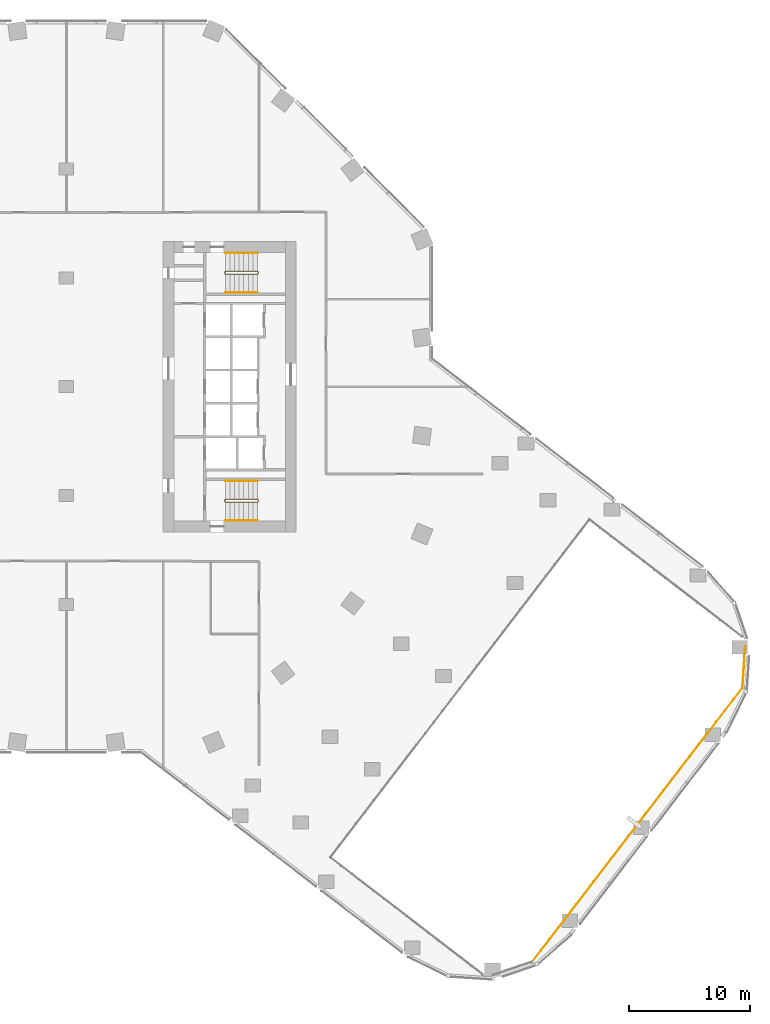
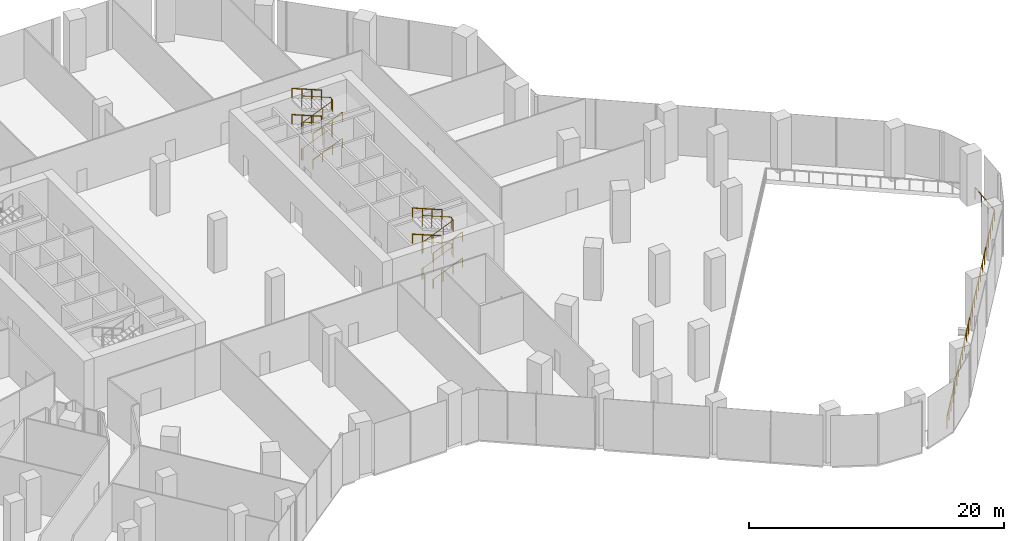
# One storey, part 28 of 29: 12 railings.
"""IFC4 building model written with IfcOpenShell, lengths in metres."""

from ifc_helpers import new_model, si_unit, direction, frame, origin, origin_2d, place, context, subcontext, project, spatial, circle, extrude, material, type_object, element, save


model = new_model("IFC4")

# Units and contexts
model_context = context("Model", 3, precision=1e-05, world=origin(), true_north=direction((0.0, 1.0)))
body_context = subcontext(model_context, "Body", "Model", "MODEL_VIEW")
ifc_project = project(units=[si_unit("LENGTHUNIT", "METRE"), si_unit("AREAUNIT", "SQUARE_METRE"), si_unit("VOLUMEUNIT", "CUBIC_METRE"), si_unit("PLANEANGLEUNIT", "RADIAN"), si_unit("MASSUNIT", "GRAM", prefix="KILO")], contexts=[model_context])

# Site, building, storey
site_placement = place(None, origin())
site = spatial("IfcSite", under=ifc_project, at=site_placement, CompositionType="ELEMENT")
building_placement = place(site_placement, origin())
building = spatial("IfcBuilding", under=site, at=building_placement, Name="Orlundy Tower", CompositionType="ELEMENT")
storey_placement = place(building_placement, frame((0.0, 0.0, 15.5)))
storey = spatial("IfcBuildingStorey", under=building, at=storey_placement, Name="L02", CompositionType="ELEMENT", Elevation=15.5)

# Railings
ifc_material_1 = material(Name="Steel and glass guard", Category="steel")
railing_type_1 = type_object("IfcRailingType", Name="Floor guard 1100", PredefinedType="GUARDRAIL", material=ifc_material_1)
railing_1_placement = place(storey_placement, frame((56.1201171875, -21.4970703125, 0.0)))
element("IfcRailing", 1, at=railing_1_placement, inside=storey, type_object=railing_type_1, Name="Guard", PredefinedType="GUARDRAIL", context=body_context, shape_type="SweptSolid", body=[
    extrude(circle(Radius=0.02392578125, at=origin_2d()), frame((0.0, 0.0, 1.076171875), z_axis=(-0.065562038995, -0.997848495035, 0.0), x_axis=(0.997848495035, -0.065562038995, 0.0)), (0.0, 0.0, 1.0), 3.403564453125),
    extrude(circle(Radius=0.02099609375, at=origin_2d()), origin(), (0.0, 0.0, 1.0), 1.052001953125),
    extrude(circle(Radius=0.02099609375, at=origin_2d()), frame((-0.074462890625, -1.132080078125, 0.0)), (0.0, 0.0, 1.0), 1.052001953125),
    extrude(circle(Radius=0.02099609375, at=origin_2d()), frame((-0.148681640625, -2.26416015625, 0.0)), (0.0, 0.0, 1.0), 1.052001953125),
    extrude(circle(Radius=0.02099609375, at=origin_2d()), frame((-0.22314453125, -3.396240234375, 0.0)), (0.0, 0.0, 1.0), 1.052001953125),
])
railing_2_placement = place(storey_placement, frame((55.89697265625, -24.893310546875, 0.0)))
element("IfcRailing", 2, at=railing_2_placement, inside=storey, type_object=railing_type_1, Name="Guard", PredefinedType="GUARDRAIL", context=body_context, shape_type="SweptSolid", body=[
    extrude(circle(Radius=0.02392578125, at=origin_2d()), frame((0.0, 0.0, 1.076171875), z_axis=(-0.608766735388, -0.793349268535, 0.0), x_axis=(0.793349268535, -0.608766735388, 0.0)), (0.0, 0.0, 1.0), 28.558837890625),
    extrude(circle(Radius=0.02099609375, at=origin_2d()), origin(), (0.0, 0.0, 1.0), 1.052001953125),
    extrude(circle(Radius=0.02099609375, at=origin_2d()), frame((-0.724365234375, -0.944091796875, 0.0)), (0.0, 0.0, 1.0), 1.052001953125),
    extrude(circle(Radius=0.02099609375, at=origin_2d()), frame((-1.44873046875, -1.88818359375, 0.0)), (0.0, 0.0, 1.0), 1.052001953125),
    extrude(circle(Radius=0.02099609375, at=origin_2d()), frame((-2.17333984375, -2.83203125, 0.0)), (0.0, 0.0, 1.0), 1.052001953125),
    extrude(circle(Radius=0.02099609375, at=origin_2d()), frame((-2.897705078125, -3.776123046875, 0.0)), (0.0, 0.0, 1.0), 1.052001953125),
    extrude(circle(Radius=0.02099609375, at=origin_2d()), frame((-3.6220703125, -4.72021484375, 0.0)), (0.0, 0.0, 1.0), 1.052001953125),
    extrude(circle(Radius=0.02099609375, at=origin_2d()), frame((-4.346435546875, -5.664306640625, 0.0)), (0.0, 0.0, 1.0), 1.052001953125),
    extrude(circle(Radius=0.02099609375, at=origin_2d()), frame((-5.07080078125, -6.6083984375, 0.0)), (0.0, 0.0, 1.0), 1.052001953125),
    extrude(circle(Radius=0.02099609375, at=origin_2d()), frame((-5.795166015625, -7.552490234375, 0.0)), (0.0, 0.0, 1.0), 1.052001953125),
    extrude(circle(Radius=0.02099609375, at=origin_2d()), frame((-6.51953125, -8.49658203125, 0.0)), (0.0, 0.0, 1.0), 1.052001953125),
    extrude(circle(Radius=0.02099609375, at=origin_2d()), frame((-7.244140625, -9.4404296875, 0.0)), (0.0, 0.0, 1.0), 1.052001953125),
    extrude(circle(Radius=0.02099609375, at=origin_2d()), frame((-7.968505859375, -10.384521484375, 0.0)), (0.0, 0.0, 1.0), 1.052001953125),
    extrude(circle(Radius=0.02099609375, at=origin_2d()), frame((-8.69287109375, -11.32861328125, 0.0)), (0.0, 0.0, 1.0), 1.052001953125),
    extrude(circle(Radius=0.02099609375, at=origin_2d()), frame((-9.417236328125, -12.272705078125, 0.0)), (0.0, 0.0, 1.0), 1.052001953125),
    extrude(circle(Radius=0.02099609375, at=origin_2d()), frame((-10.1416015625, -13.216796875, 0.0)), (0.0, 0.0, 1.0), 1.052001953125),
    extrude(circle(Radius=0.02099609375, at=origin_2d()), frame((-10.8662109375, -14.16064453125, 0.0)), (0.0, 0.0, 1.0), 1.052001953125),
    extrude(circle(Radius=0.02099609375, at=origin_2d()), frame((-11.590576171875, -15.104736328125, 0.0)), (0.0, 0.0, 1.0), 1.052001953125),
    extrude(circle(Radius=0.02099609375, at=origin_2d()), frame((-12.31494140625, -16.048828125, 0.0)), (0.0, 0.0, 1.0), 1.052001953125),
    extrude(circle(Radius=0.02099609375, at=origin_2d()), frame((-13.039306640625, -16.992919921875, 0.0)), (0.0, 0.0, 1.0), 1.052001953125),
    extrude(circle(Radius=0.02099609375, at=origin_2d()), frame((-13.763671875, -17.93701171875, 0.0)), (0.0, 0.0, 1.0), 1.052001953125),
    extrude(circle(Radius=0.02099609375, at=origin_2d()), frame((-14.488037109375, -18.881103515625, 0.0)), (0.0, 0.0, 1.0), 1.052001953125),
    extrude(circle(Radius=0.02099609375, at=origin_2d()), frame((-15.21240234375, -19.8251953125, 0.0)), (0.0, 0.0, 1.0), 1.052001953125),
    extrude(circle(Radius=0.02099609375, at=origin_2d()), frame((-15.93701171875, -20.76904296875, 0.0)), (0.0, 0.0, 1.0), 1.052001953125),
    extrude(circle(Radius=0.02099609375, at=origin_2d()), frame((-16.661376953125, -21.713134765625, 0.0)), (0.0, 0.0, 1.0), 1.052001953125),
    extrude(circle(Radius=0.02099609375, at=origin_2d()), frame((-17.3857421875, -22.6572265625, 0.0)), (0.0, 0.0, 1.0), 1.052001953125),
])
ifc_material_2 = material(Name="Steel balustrade", Category="steel")
railing_type_2 = type_object("IfcRailingType", Name="Stair Guard 1100", PredefinedType="GUARDRAIL", material=ifc_material_2)
railing_3_placement = place(storey_placement, frame((13.090087890625, -9.5, 0.0)))
element("IfcRailing", 3, at=railing_3_placement, inside=storey, type_object=railing_type_2, Name="L02 ST-E1 stair guard 1", PredefinedType="GUARDRAIL", context=body_context, shape_type="SweptSolid", body=[
    extrude(circle(Radius=0.02392578125, at=origin_2d()), frame((0.0, 0.0, 1.076171875), z_axis=(0.0, 1.0, 0.0), x_axis=(-1.0, 0.0, 0.0)), (0.0, 0.0, 1.0), 0.14990234375),
    extrude(circle(Radius=0.02392578125, at=origin_2d()), frame((0.0, 0.14990234375, 1.076171875), z_axis=(0.192591976565, -0.773200141208, 0.604210122556), x_axis=(0.970351222016, 0.241699205484, 0.0)), (0.0, 0.0, 1.0), 0.258544921875),
    extrude(circle(Radius=0.02392578125, at=origin_2d()), frame((0.0498046875, -0.050048828125, 1.232421875), z_axis=(0.924874861033, 0.0, 0.380271602187), x_axis=(0.0, 1.0, 0.0)), (0.0, 0.0, 1.0), 2.876220703125),
    extrude(circle(Radius=0.02392578125, at=origin_2d()), frame((2.7099609375, -0.050048828125, 2.326171875), z_axis=(0.707106781187, 0.707106781187, 0.0), x_axis=(-0.707106781187, 0.707106781187, 0.0)), (0.0, 0.0, 1.0), 0.07080078125),
    extrude(circle(Radius=0.02392578125, at=origin_2d()), frame((2.760009765625, 0.0, 2.326171875), z_axis=(0.0, 1.0, 0.0), x_axis=(-1.0, 0.0, 0.0)), (0.0, 0.0, 1.0), 0.14990234375),
    extrude(circle(Radius=0.02392578125, at=origin_2d()), frame((2.760009765625, 0.14990234375, 2.326171875), z_axis=(-0.29177245553, 0.29177245553, 0.91089937336), x_axis=(-0.707106781187, -0.707106781187, 0.0)), (0.0, 0.0, 1.0), 0.171630859375),
    extrude(circle(Radius=0.02392578125, at=origin_2d()), frame((2.7099609375, 0.199951171875, 2.482421875), z_axis=(-0.924874861033, 0.0, 0.380271602187), x_axis=(0.0, -1.0, 0.0)), (0.0, 0.0, 1.0), 2.876220703125),
    extrude(circle(Radius=0.02392578125, at=origin_2d()), frame((0.0498046875, 0.199951171875, 3.576171875), z_axis=(-0.241699205484, -0.970351222016, 0.0), x_axis=(0.970351222016, -0.241699205484, 0.0)), (0.0, 0.0, 1.0), 0.2060546875),
    extrude(circle(Radius=0.02392578125, at=origin_2d()), frame((0.0, 0.0, 3.576171875), z_axis=(0.0, 1.0, 0.0), x_axis=(-1.0, 0.0, 0.0)), (0.0, 0.0, 1.0), 0.14990234375),
    extrude(circle(Radius=0.02392578125, at=origin_2d()), frame((0.0, 0.14990234375, 3.576171875), z_axis=(0.192591976565, -0.773200141208, 0.604210122556), x_axis=(0.970351222016, 0.241699205484, 0.0)), (0.0, 0.0, 1.0), 0.258544921875),
    extrude(circle(Radius=0.02392578125, at=origin_2d()), frame((0.0498046875, -0.050048828125, 3.732421875), z_axis=(0.924874861033, 0.0, 0.380271602187), x_axis=(0.0, 1.0, 0.0)), (0.0, 0.0, 1.0), 2.876220703125),
    extrude(circle(Radius=0.02392578125, at=origin_2d()), frame((2.7099609375, -0.050048828125, 4.826171875), z_axis=(0.707106781187, 0.707106781187, 0.0), x_axis=(-0.707106781187, 0.707106781187, 0.0)), (0.0, 0.0, 1.0), 0.07080078125),
    extrude(circle(Radius=0.02392578125, at=origin_2d()), frame((2.760009765625, 0.0, 4.826171875), z_axis=(0.0, 1.0, 0.0), x_axis=(-1.0, 0.0, 0.0)), (0.0, 0.0, 1.0), 0.14990234375),
    extrude(circle(Radius=0.02392578125, at=origin_2d()), frame((2.760009765625, 0.14990234375, 4.826171875), z_axis=(-0.29177245553, 0.29177245553, 0.91089937336), x_axis=(-0.707106781187, -0.707106781187, 0.0)), (0.0, 0.0, 1.0), 0.171630859375),
    extrude(circle(Radius=0.02392578125, at=origin_2d()), frame((2.7099609375, 0.199951171875, 4.982421875), z_axis=(-0.924874861033, 0.0, 0.380271602187), x_axis=(0.0, -1.0, 0.0)), (0.0, 0.0, 1.0), 2.876220703125),
    extrude(circle(Radius=0.02099609375, at=origin_2d()), origin(), (0.0, 0.0, 1.0), 1.052001953125),
    extrude(circle(Radius=0.02099609375, at=origin_2d()), frame((0.0, 0.14990234375, 0.0)), (0.0, 0.0, 1.0), 1.052001953125),
    extrude(circle(Radius=0.02099609375, at=origin_2d()), frame((0.0498046875, -0.050048828125, 0.15625)), (0.0, 0.0, 1.0), 1.052001953125),
    extrude(circle(Radius=0.02099609375, at=origin_2d()), frame((0.9365234375, -0.050048828125, 0.520751953125)), (0.0, 0.0, 1.0), 1.052001953125),
    extrude(circle(Radius=0.02099609375, at=origin_2d()), frame((1.8232421875, -0.050048828125, 0.885498046875)), (0.0, 0.0, 1.0), 1.052001953125),
    extrude(circle(Radius=0.02099609375, at=origin_2d()), frame((2.7099609375, -0.050048828125, 1.25)), (0.0, 0.0, 1.0), 1.052001953125),
    extrude(circle(Radius=0.02099609375, at=origin_2d()), frame((2.760009765625, 0.0, 1.25)), (0.0, 0.0, 1.0), 1.052001953125),
    extrude(circle(Radius=0.02099609375, at=origin_2d()), frame((2.760009765625, 0.14990234375, 1.25)), (0.0, 0.0, 1.0), 1.052001953125),
    extrude(circle(Radius=0.02099609375, at=origin_2d()), frame((2.7099609375, 0.199951171875, 1.40625)), (0.0, 0.0, 1.0), 1.052001953125),
    extrude(circle(Radius=0.02099609375, at=origin_2d()), frame((1.8232421875, 0.199951171875, 1.770751953125)), (0.0, 0.0, 1.0), 1.052001953125),
    extrude(circle(Radius=0.02099609375, at=origin_2d()), frame((0.9365234375, 0.199951171875, 2.135498046875)), (0.0, 0.0, 1.0), 1.052001953125),
    extrude(circle(Radius=0.02099609375, at=origin_2d()), frame((0.0498046875, 0.199951171875, 2.5)), (0.0, 0.0, 1.0), 1.052001953125),
    extrude(circle(Radius=0.02099609375, at=origin_2d()), frame((0.0, 0.0, 2.5)), (0.0, 0.0, 1.0), 1.052001953125),
    extrude(circle(Radius=0.02099609375, at=origin_2d()), frame((0.0, 0.14990234375, 2.5)), (0.0, 0.0, 1.0), 1.052001953125),
    extrude(circle(Radius=0.02099609375, at=origin_2d()), frame((0.0498046875, -0.050048828125, 2.65625)), (0.0, 0.0, 1.0), 1.052001953125),
    extrude(circle(Radius=0.02099609375, at=origin_2d()), frame((0.9365234375, -0.050048828125, 3.020751953125)), (0.0, 0.0, 1.0), 1.052001953125),
    extrude(circle(Radius=0.02099609375, at=origin_2d()), frame((1.8232421875, -0.050048828125, 3.385498046875)), (0.0, 0.0, 1.0), 1.052001953125),
    extrude(circle(Radius=0.02099609375, at=origin_2d()), frame((2.7099609375, -0.050048828125, 3.75)), (0.0, 0.0, 1.0), 1.052001953125),
    extrude(circle(Radius=0.02099609375, at=origin_2d()), frame((2.760009765625, 0.0, 3.75)), (0.0, 0.0, 1.0), 1.052001953125),
    extrude(circle(Radius=0.02099609375, at=origin_2d()), frame((2.760009765625, 0.14990234375, 3.75)), (0.0, 0.0, 1.0), 1.052001953125),
    extrude(circle(Radius=0.02099609375, at=origin_2d()), frame((2.7099609375, 0.199951171875, 3.90625)), (0.0, 0.0, 1.0), 1.052001953125),
    extrude(circle(Radius=0.02099609375, at=origin_2d()), frame((1.8232421875, 0.199951171875, 4.270751953125)), (0.0, 0.0, 1.0), 1.052001953125),
    extrude(circle(Radius=0.02099609375, at=origin_2d()), frame((0.9365234375, 0.199951171875, 4.635498046875)), (0.0, 0.0, 1.0), 1.052001953125),
    extrude(circle(Radius=0.02099609375, at=origin_2d()), frame((0.0498046875, 0.199951171875, 5.0)), (0.0, 0.0, 1.0), 1.052001953125),
])
railing_4_placement = place(storey_placement, frame((13.090087890625, 9.35009765625, 0.0)))
element("IfcRailing", 4, at=railing_4_placement, inside=storey, type_object=railing_type_2, Name="L02 ST-E2 stair guard 1", PredefinedType="GUARDRAIL", context=body_context, shape_type="SweptSolid", body=[
    extrude(circle(Radius=0.02392578125, at=origin_2d()), frame((0.0, 0.0, 1.076171875), z_axis=(0.0, 1.0, 0.0), x_axis=(-1.0, 0.0, 0.0)), (0.0, 0.0, 1.0), 0.14990234375),
    extrude(circle(Radius=0.02392578125, at=origin_2d()), frame((0.0, 0.14990234375, 1.076171875), z_axis=(0.192591976565, -0.773200141208, 0.604210122556), x_axis=(0.970351222016, 0.241699205484, 0.0)), (0.0, 0.0, 1.0), 0.258544921875),
    extrude(circle(Radius=0.02392578125, at=origin_2d()), frame((0.0498046875, -0.050048828125, 1.232421875), z_axis=(0.924874861033, 0.0, 0.380271602187), x_axis=(0.0, 1.0, 0.0)), (0.0, 0.0, 1.0), 2.876220703125),
    extrude(circle(Radius=0.02392578125, at=origin_2d()), frame((2.7099609375, -0.050048828125, 2.326171875), z_axis=(0.707106781187, 0.707106781187, 0.0), x_axis=(-0.707106781187, 0.707106781187, 0.0)), (0.0, 0.0, 1.0), 0.07080078125),
    extrude(circle(Radius=0.02392578125, at=origin_2d()), frame((2.760009765625, 0.0, 2.326171875), z_axis=(0.0, 1.0, 0.0), x_axis=(-1.0, 0.0, 0.0)), (0.0, 0.0, 1.0), 0.14990234375),
    extrude(circle(Radius=0.02392578125, at=origin_2d()), frame((2.760009765625, 0.14990234375, 2.326171875), z_axis=(-0.29177245553, 0.29177245553, 0.91089937336), x_axis=(-0.707106781187, -0.707106781187, 0.0)), (0.0, 0.0, 1.0), 0.171630859375),
    extrude(circle(Radius=0.02392578125, at=origin_2d()), frame((2.7099609375, 0.199951171875, 2.482421875), z_axis=(-0.924874861033, 0.0, 0.380271602187), x_axis=(0.0, -1.0, 0.0)), (0.0, 0.0, 1.0), 2.876220703125),
    extrude(circle(Radius=0.02392578125, at=origin_2d()), frame((0.0498046875, 0.199951171875, 3.576171875), z_axis=(-0.241699205484, -0.970351222016, 0.0), x_axis=(0.970351222016, -0.241699205484, 0.0)), (0.0, 0.0, 1.0), 0.2060546875),
    extrude(circle(Radius=0.02392578125, at=origin_2d()), frame((0.0, 0.0, 3.576171875), z_axis=(0.0, 1.0, 0.0), x_axis=(-1.0, 0.0, 0.0)), (0.0, 0.0, 1.0), 0.14990234375),
    extrude(circle(Radius=0.02392578125, at=origin_2d()), frame((0.0, 0.14990234375, 3.576171875), z_axis=(0.192591976565, -0.773200141208, 0.604210122556), x_axis=(0.970351222016, 0.241699205484, 0.0)), (0.0, 0.0, 1.0), 0.258544921875),
    extrude(circle(Radius=0.02392578125, at=origin_2d()), frame((0.0498046875, -0.050048828125, 3.732421875), z_axis=(0.924874861033, 0.0, 0.380271602187), x_axis=(0.0, 1.0, 0.0)), (0.0, 0.0, 1.0), 2.876220703125),
    extrude(circle(Radius=0.02392578125, at=origin_2d()), frame((2.7099609375, -0.050048828125, 4.826171875), z_axis=(0.707106781187, 0.707106781187, 0.0), x_axis=(-0.707106781187, 0.707106781187, 0.0)), (0.0, 0.0, 1.0), 0.07080078125),
    extrude(circle(Radius=0.02392578125, at=origin_2d()), frame((2.760009765625, 0.0, 4.826171875), z_axis=(0.0, 1.0, 0.0), x_axis=(-1.0, 0.0, 0.0)), (0.0, 0.0, 1.0), 0.14990234375),
    extrude(circle(Radius=0.02392578125, at=origin_2d()), frame((2.760009765625, 0.14990234375, 4.826171875), z_axis=(-0.29177245553, 0.29177245553, 0.91089937336), x_axis=(-0.707106781187, -0.707106781187, 0.0)), (0.0, 0.0, 1.0), 0.171630859375),
    extrude(circle(Radius=0.02392578125, at=origin_2d()), frame((2.7099609375, 0.199951171875, 4.982421875), z_axis=(-0.924874861033, 0.0, 0.380271602187), x_axis=(0.0, -1.0, 0.0)), (0.0, 0.0, 1.0), 2.876220703125),
    extrude(circle(Radius=0.02099609375, at=origin_2d()), origin(), (0.0, 0.0, 1.0), 1.052001953125),
    extrude(circle(Radius=0.02099609375, at=origin_2d()), frame((0.0, 0.14990234375, 0.0)), (0.0, 0.0, 1.0), 1.052001953125),
    extrude(circle(Radius=0.02099609375, at=origin_2d()), frame((0.0498046875, -0.050048828125, 0.15625)), (0.0, 0.0, 1.0), 1.052001953125),
    extrude(circle(Radius=0.02099609375, at=origin_2d()), frame((0.9365234375, -0.050048828125, 0.520751953125)), (0.0, 0.0, 1.0), 1.052001953125),
    extrude(circle(Radius=0.02099609375, at=origin_2d()), frame((1.8232421875, -0.050048828125, 0.885498046875)), (0.0, 0.0, 1.0), 1.052001953125),
    extrude(circle(Radius=0.02099609375, at=origin_2d()), frame((2.7099609375, -0.050048828125, 1.25)), (0.0, 0.0, 1.0), 1.052001953125),
    extrude(circle(Radius=0.02099609375, at=origin_2d()), frame((2.760009765625, 0.0, 1.25)), (0.0, 0.0, 1.0), 1.052001953125),
    extrude(circle(Radius=0.02099609375, at=origin_2d()), frame((2.760009765625, 0.14990234375, 1.25)), (0.0, 0.0, 1.0), 1.052001953125),
    extrude(circle(Radius=0.02099609375, at=origin_2d()), frame((2.7099609375, 0.199951171875, 1.40625)), (0.0, 0.0, 1.0), 1.052001953125),
    extrude(circle(Radius=0.02099609375, at=origin_2d()), frame((1.8232421875, 0.199951171875, 1.770751953125)), (0.0, 0.0, 1.0), 1.052001953125),
    extrude(circle(Radius=0.02099609375, at=origin_2d()), frame((0.9365234375, 0.199951171875, 2.135498046875)), (0.0, 0.0, 1.0), 1.052001953125),
    extrude(circle(Radius=0.02099609375, at=origin_2d()), frame((0.0498046875, 0.199951171875, 2.5)), (0.0, 0.0, 1.0), 1.052001953125),
    extrude(circle(Radius=0.02099609375, at=origin_2d()), frame((0.0, 0.0, 2.5)), (0.0, 0.0, 1.0), 1.052001953125),
    extrude(circle(Radius=0.02099609375, at=origin_2d()), frame((0.0, 0.14990234375, 2.5)), (0.0, 0.0, 1.0), 1.052001953125),
    extrude(circle(Radius=0.02099609375, at=origin_2d()), frame((0.0498046875, -0.050048828125, 2.65625)), (0.0, 0.0, 1.0), 1.052001953125),
    extrude(circle(Radius=0.02099609375, at=origin_2d()), frame((0.9365234375, -0.050048828125, 3.020751953125)), (0.0, 0.0, 1.0), 1.052001953125),
    extrude(circle(Radius=0.02099609375, at=origin_2d()), frame((1.8232421875, -0.050048828125, 3.385498046875)), (0.0, 0.0, 1.0), 1.052001953125),
    extrude(circle(Radius=0.02099609375, at=origin_2d()), frame((2.7099609375, -0.050048828125, 3.75)), (0.0, 0.0, 1.0), 1.052001953125),
    extrude(circle(Radius=0.02099609375, at=origin_2d()), frame((2.760009765625, 0.0, 3.75)), (0.0, 0.0, 1.0), 1.052001953125),
    extrude(circle(Radius=0.02099609375, at=origin_2d()), frame((2.760009765625, 0.14990234375, 3.75)), (0.0, 0.0, 1.0), 1.052001953125),
    extrude(circle(Radius=0.02099609375, at=origin_2d()), frame((2.7099609375, 0.199951171875, 3.90625)), (0.0, 0.0, 1.0), 1.052001953125),
    extrude(circle(Radius=0.02099609375, at=origin_2d()), frame((1.8232421875, 0.199951171875, 4.270751953125)), (0.0, 0.0, 1.0), 1.052001953125),
    extrude(circle(Radius=0.02099609375, at=origin_2d()), frame((0.9365234375, 0.199951171875, 4.635498046875)), (0.0, 0.0, 1.0), 1.052001953125),
    extrude(circle(Radius=0.02099609375, at=origin_2d()), frame((0.0498046875, 0.199951171875, 5.0)), (0.0, 0.0, 1.0), 1.052001953125),
])
ifc_material_3 = material(Name="Steel handrail", Category="steel")
railing_type_3 = type_object("IfcRailingType", Name="Stair Handrail 900", PredefinedType="HANDRAIL", material=ifc_material_3)
railing_5_placement = place(storey_placement, frame((13.139892578125, -11.050048828125, 0.15625)))
element("IfcRailing", 5, at=railing_5_placement, inside=storey, type_object=railing_type_3, Name="L02 ST-E1 stair handrail 1", PredefinedType="HANDRAIL", context=body_context, shape_type="SweptSolid", body=[
    extrude(circle(Radius=0.02392578125, at=origin_2d()), frame((0.0, 0.0, 0.8759765625), z_axis=(0.924874861033, 0.0, 0.380271602187), x_axis=(0.0, 1.0, 0.0)), (0.0, 0.0, 1.0), 2.876220703125),
    extrude(circle(Radius=0.02099609375, at=origin_2d()), origin(), (0.0, 0.0, 1.0), 0.851806640625),
    extrude(circle(Radius=0.02099609375, at=origin_2d()), frame((0.88671875, 0.0, 0.364501953125)), (0.0, 0.0, 1.0), 0.851806640625),
    extrude(circle(Radius=0.02099609375, at=origin_2d()), frame((1.7734375, 0.0, 0.729248046875)), (0.0, 0.0, 1.0), 0.851806640625),
    extrude(circle(Radius=0.02099609375, at=origin_2d()), frame((2.66015625, 0.0, 1.09375)), (0.0, 0.0, 1.0), 0.851806640625),
])
railing_6_placement = place(storey_placement, frame((15.800048828125, -7.800048828125, 1.40625)))
element("IfcRailing", 6, at=railing_6_placement, inside=storey, type_object=railing_type_3, Name="L02 ST-E1 stair handrail 2", PredefinedType="HANDRAIL", context=body_context, shape_type="SweptSolid", body=[
    extrude(circle(Radius=0.02392578125, at=origin_2d()), frame((0.0, 0.0, 0.8759765625), z_axis=(-0.924874861033, 0.0, 0.380271602187), x_axis=(0.0, -1.0, 0.0)), (0.0, 0.0, 1.0), 2.876220703125),
    extrude(circle(Radius=0.02099609375, at=origin_2d()), origin(), (0.0, 0.0, 1.0), 0.851806640625),
    extrude(circle(Radius=0.02099609375, at=origin_2d()), frame((-0.88671875, 0.0, 0.364501953125)), (0.0, 0.0, 1.0), 0.851806640625),
    extrude(circle(Radius=0.02099609375, at=origin_2d()), frame((-1.7734375, 0.0, 0.729248046875)), (0.0, 0.0, 1.0), 0.851806640625),
    extrude(circle(Radius=0.02099609375, at=origin_2d()), frame((-2.66015625, 0.0, 1.09375)), (0.0, 0.0, 1.0), 0.851806640625),
])
railing_7_placement = place(storey_placement, frame((13.139892578125, -11.050048828125, 2.65625)))
element("IfcRailing", 7, at=railing_7_placement, inside=storey, type_object=railing_type_3, Name="L02 ST-E1 stair handrail 3", PredefinedType="HANDRAIL", context=body_context, shape_type="SweptSolid", body=[
    extrude(circle(Radius=0.02392578125, at=origin_2d()), frame((0.0, 0.0, 0.8759765625), z_axis=(0.924874861033, 0.0, 0.380271602187), x_axis=(0.0, 1.0, 0.0)), (0.0, 0.0, 1.0), 2.876220703125),
    extrude(circle(Radius=0.02099609375, at=origin_2d()), origin(), (0.0, 0.0, 1.0), 0.851806640625),
    extrude(circle(Radius=0.02099609375, at=origin_2d()), frame((0.88671875, 0.0, 0.364501953125)), (0.0, 0.0, 1.0), 0.851806640625),
    extrude(circle(Radius=0.02099609375, at=origin_2d()), frame((1.7734375, 0.0, 0.729248046875)), (0.0, 0.0, 1.0), 0.851806640625),
    extrude(circle(Radius=0.02099609375, at=origin_2d()), frame((2.66015625, 0.0, 1.09375)), (0.0, 0.0, 1.0), 0.851806640625),
])
railing_8_placement = place(storey_placement, frame((15.800048828125, -7.800048828125, 3.90625)))
element("IfcRailing", 8, at=railing_8_placement, inside=storey, type_object=railing_type_3, Name="L02 ST-E1 stair handrail 4", PredefinedType="HANDRAIL", context=body_context, shape_type="SweptSolid", body=[
    extrude(circle(Radius=0.02392578125, at=origin_2d()), frame((0.0, 0.0, 0.8759765625), z_axis=(-0.924874861033, 0.0, 0.380271602187), x_axis=(0.0, -1.0, 0.0)), (0.0, 0.0, 1.0), 2.876220703125),
    extrude(circle(Radius=0.02099609375, at=origin_2d()), origin(), (0.0, 0.0, 1.0), 0.851806640625),
    extrude(circle(Radius=0.02099609375, at=origin_2d()), frame((-0.88671875, 0.0, 0.364501953125)), (0.0, 0.0, 1.0), 0.851806640625),
    extrude(circle(Radius=0.02099609375, at=origin_2d()), frame((-1.7734375, 0.0, 0.729248046875)), (0.0, 0.0, 1.0), 0.851806640625),
    extrude(circle(Radius=0.02099609375, at=origin_2d()), frame((-2.66015625, 0.0, 1.09375)), (0.0, 0.0, 1.0), 0.851806640625),
])
railing_9_placement = place(storey_placement, frame((13.139892578125, 7.800048828125, 0.15625)))
element("IfcRailing", 9, at=railing_9_placement, inside=storey, type_object=railing_type_3, Name="L02 ST-E2 stair handrail 1", PredefinedType="HANDRAIL", context=body_context, shape_type="SweptSolid", body=[
    extrude(circle(Radius=0.02392578125, at=origin_2d()), frame((0.0, 0.0, 0.8759765625), z_axis=(0.924874861033, 0.0, 0.380271602187), x_axis=(0.0, 1.0, 0.0)), (0.0, 0.0, 1.0), 2.876220703125),
    extrude(circle(Radius=0.02099609375, at=origin_2d()), origin(), (0.0, 0.0, 1.0), 0.851806640625),
    extrude(circle(Radius=0.02099609375, at=origin_2d()), frame((0.88671875, 0.0, 0.364501953125)), (0.0, 0.0, 1.0), 0.851806640625),
    extrude(circle(Radius=0.02099609375, at=origin_2d()), frame((1.7734375, 0.0, 0.729248046875)), (0.0, 0.0, 1.0), 0.851806640625),
    extrude(circle(Radius=0.02099609375, at=origin_2d()), frame((2.66015625, 0.0, 1.09375)), (0.0, 0.0, 1.0), 0.851806640625),
])
railing_10_placement = place(storey_placement, frame((15.800048828125, 11.050048828125, 1.40625)))
element("IfcRailing", 10, at=railing_10_placement, inside=storey, type_object=railing_type_3, Name="L02 ST-E2 stair handrail 2", PredefinedType="HANDRAIL", context=body_context, shape_type="SweptSolid", body=[
    extrude(circle(Radius=0.02392578125, at=origin_2d()), frame((0.0, 0.0, 0.8759765625), z_axis=(-0.924874861033, 0.0, 0.380271602187), x_axis=(0.0, -1.0, 0.0)), (0.0, 0.0, 1.0), 2.876220703125),
    extrude(circle(Radius=0.02099609375, at=origin_2d()), origin(), (0.0, 0.0, 1.0), 0.851806640625),
    extrude(circle(Radius=0.02099609375, at=origin_2d()), frame((-0.88671875, 0.0, 0.364501953125)), (0.0, 0.0, 1.0), 0.851806640625),
    extrude(circle(Radius=0.02099609375, at=origin_2d()), frame((-1.7734375, 0.0, 0.729248046875)), (0.0, 0.0, 1.0), 0.851806640625),
    extrude(circle(Radius=0.02099609375, at=origin_2d()), frame((-2.66015625, 0.0, 1.09375)), (0.0, 0.0, 1.0), 0.851806640625),
])
railing_11_placement = place(storey_placement, frame((13.139892578125, 7.800048828125, 2.65625)))
element("IfcRailing", 11, at=railing_11_placement, inside=storey, type_object=railing_type_3, Name="L02 ST-E2 stair handrail 3", PredefinedType="HANDRAIL", context=body_context, shape_type="SweptSolid", body=[
    extrude(circle(Radius=0.02392578125, at=origin_2d()), frame((0.0, 0.0, 0.8759765625), z_axis=(0.924874861033, 0.0, 0.380271602187), x_axis=(0.0, 1.0, 0.0)), (0.0, 0.0, 1.0), 2.876220703125),
    extrude(circle(Radius=0.02099609375, at=origin_2d()), origin(), (0.0, 0.0, 1.0), 0.851806640625),
    extrude(circle(Radius=0.02099609375, at=origin_2d()), frame((0.88671875, 0.0, 0.364501953125)), (0.0, 0.0, 1.0), 0.851806640625),
    extrude(circle(Radius=0.02099609375, at=origin_2d()), frame((1.7734375, 0.0, 0.729248046875)), (0.0, 0.0, 1.0), 0.851806640625),
    extrude(circle(Radius=0.02099609375, at=origin_2d()), frame((2.66015625, 0.0, 1.09375)), (0.0, 0.0, 1.0), 0.851806640625),
])
railing_12_placement = place(storey_placement, frame((15.800048828125, 11.050048828125, 3.90625)))
element("IfcRailing", 12, at=railing_12_placement, inside=storey, type_object=railing_type_3, Name="L02 ST-E2 stair handrail 4", PredefinedType="HANDRAIL", context=body_context, shape_type="SweptSolid", body=[
    extrude(circle(Radius=0.02392578125, at=origin_2d()), frame((0.0, 0.0, 0.8759765625), z_axis=(-0.924874861033, 0.0, 0.380271602187), x_axis=(0.0, -1.0, 0.0)), (0.0, 0.0, 1.0), 2.876220703125),
    extrude(circle(Radius=0.02099609375, at=origin_2d()), origin(), (0.0, 0.0, 1.0), 0.851806640625),
    extrude(circle(Radius=0.02099609375, at=origin_2d()), frame((-0.88671875, 0.0, 0.364501953125)), (0.0, 0.0, 1.0), 0.851806640625),
    extrude(circle(Radius=0.02099609375, at=origin_2d()), frame((-1.7734375, 0.0, 0.729248046875)), (0.0, 0.0, 1.0), 0.851806640625),
    extrude(circle(Radius=0.02099609375, at=origin_2d()), frame((-2.66015625, 0.0, 1.09375)), (0.0, 0.0, 1.0), 0.851806640625),
])

save(model, "model.ifc")
